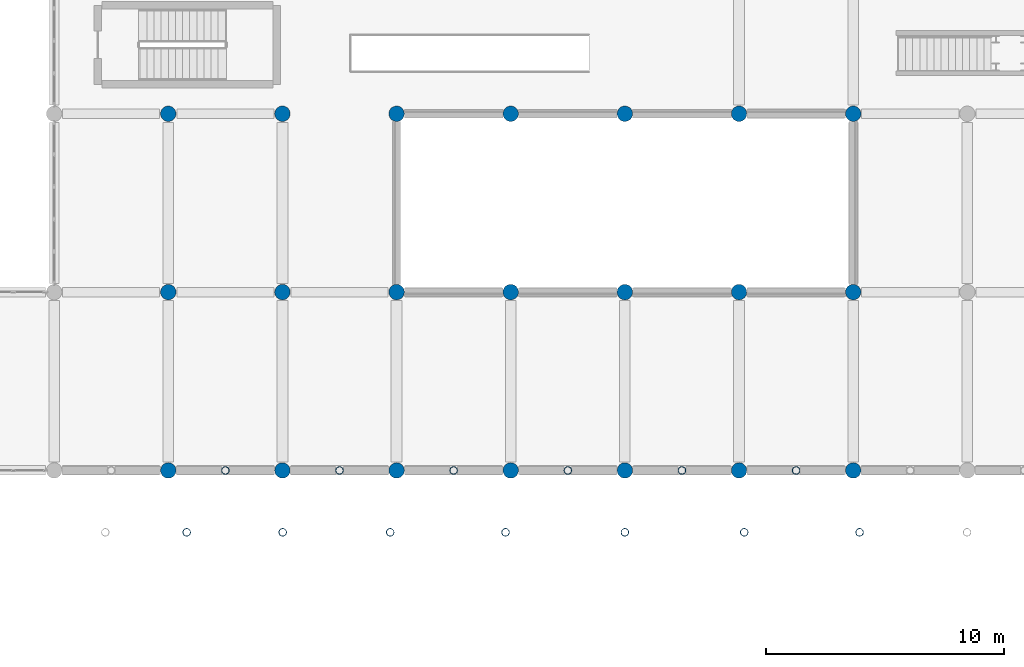
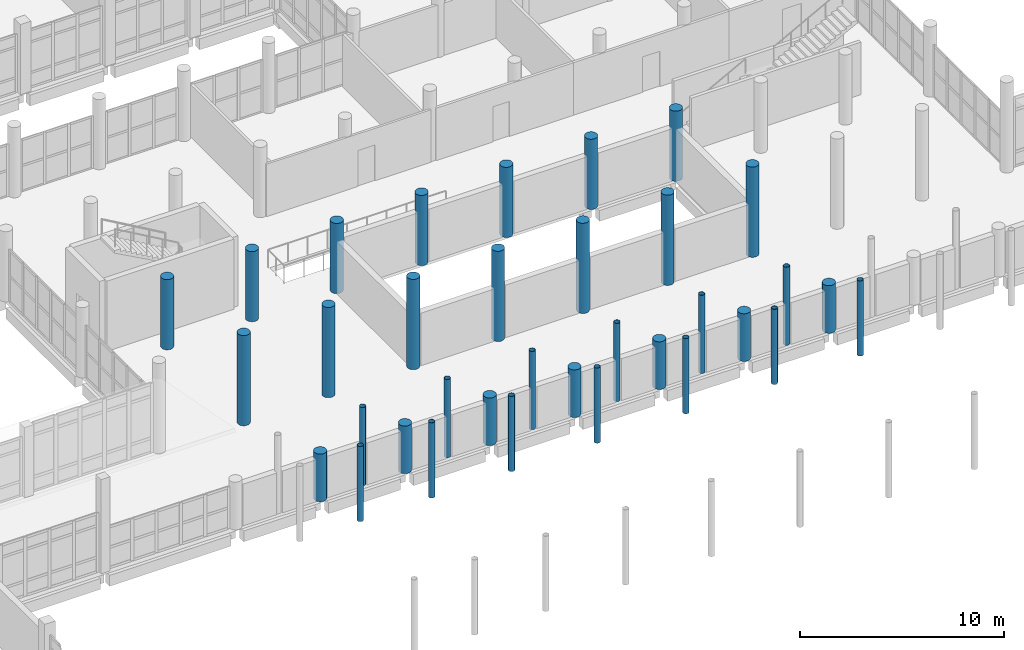
# One storey, part 9 of 164: 34 columns.
"""IFC4 building model written with IfcOpenShell, lengths in metres."""

from ifc_helpers import new_model, si_unit, direction, frame, origin, origin_2d, place, context, subcontext, project, spatial, circle, hollow_circle, extrude, material, material_profile, profile_set, type_object, element, save


model = new_model("IFC4")

# Units and contexts
model_context = context("Model", 3, precision=1e-05, world=origin(), true_north=direction((0.0, 1.0)))
body_context = subcontext(model_context, "Body", "Model", "MODEL_VIEW")
ifc_project = project(units=[si_unit("LENGTHUNIT", "METRE"), si_unit("AREAUNIT", "SQUARE_METRE"), si_unit("VOLUMEUNIT", "CUBIC_METRE"), si_unit("PLANEANGLEUNIT", "RADIAN"), si_unit("MASSUNIT", "GRAM", prefix="KILO")], contexts=[model_context])

# Site, building, storey
site_placement = place(None, origin())
site = spatial("IfcSite", under=ifc_project, at=site_placement, CompositionType="ELEMENT")
building_placement = place(site_placement, origin())
building = spatial("IfcBuilding", under=site, at=building_placement, Name="Mawjan Specialist Oncology Clinic", CompositionType="ELEMENT")
storey_placement = place(building_placement, frame((0.0, 0.0, 5.0)))
storey = spatial("IfcBuildingStorey", under=building, at=storey_placement, Name="L01", CompositionType="ELEMENT", Elevation=5.0)

# Columns
ifc_material_1 = material(Name="Concrete C45/55", Category="concrete")
ifc_material_profile_1 = material_profile(ifc_material_1, circle(Radius=0.324951171875, at=origin_2d()), Name="RC COL D650", Category="concrete")
ifc_profile_set_1 = profile_set([ifc_material_profile_1], Name="Concrete C45/55")
column_type_1 = type_object("IfcColumnType", Name="C-D650", PredefinedType="COLUMN", material=ifc_profile_set_1)
column_1_placement = place(storey_placement, frame((64.800048828125, 45.800048828125, 0.0), z_axis=(0.0, 0.0, 1.0), x_axis=(1.0, 0.0, 0.0)))
element("IfcColumn", 1, at=column_1_placement, inside=storey, type_object=column_type_1, Name="L01 Column G-10-G", PredefinedType="COLUMN", context=body_context, shape_type="SweptSolid", body=[
    extrude(circle(Radius=0.324951171875, at=origin_2d()), origin(), (0.0, 0.0, 1.0), 2.85009765625),
])
column_2_placement = place(storey_placement, frame((64.800048828125, 53.300048828125, 0.0), z_axis=(0.0, 0.0, 1.0), x_axis=(1.0, 0.0, 0.0)))
element("IfcColumn", 2, at=column_2_placement, inside=storey, type_object=column_type_1, Name="L01 Column G-10-H", PredefinedType="COLUMN", context=body_context, shape_type="SweptSolid", body=[
    extrude(circle(Radius=0.324951171875, at=origin_2d()), origin(), (0.0, 0.0, 1.0), 5.39990234375),
])
column_3_placement = place(storey_placement, frame((64.800048828125, 60.800048828125, 0.0), z_axis=(0.0, 0.0, 1.0), x_axis=(1.0, 0.0, 0.0)))
element("IfcColumn", 3, at=column_3_placement, inside=storey, type_object=column_type_1, Name="L01 Column G-10-J", PredefinedType="COLUMN", context=body_context, shape_type="SweptSolid", body=[
    extrude(circle(Radius=0.324951171875, at=origin_2d()), origin(), (0.0, 0.0, 1.0), 4.199951171875),
])
column_4_placement = place(storey_placement, frame((69.60009765625, 45.800048828125, 0.0), z_axis=(0.0, 0.0, 1.0), x_axis=(1.0, 0.0, 0.0)))
element("IfcColumn", 4, at=column_4_placement, inside=storey, type_object=column_type_1, Name="L01 Column G-11-G", PredefinedType="COLUMN", context=body_context, shape_type="SweptSolid", body=[
    extrude(circle(Radius=0.324951171875, at=origin_2d()), origin(), (0.0, 0.0, 1.0), 2.85009765625),
])
column_5_placement = place(storey_placement, frame((69.60009765625, 53.300048828125, 0.0), z_axis=(0.0, 0.0, 1.0), x_axis=(1.0, 0.0, 0.0)))
element("IfcColumn", 5, at=column_5_placement, inside=storey, type_object=column_type_1, Name="L01 Column G-11-H", PredefinedType="COLUMN", context=body_context, shape_type="SweptSolid", body=[
    extrude(circle(Radius=0.324951171875, at=origin_2d()), origin(), (0.0, 0.0, 1.0), 5.39990234375),
])
column_6_placement = place(storey_placement, frame((69.60009765625, 60.800048828125, 0.0), z_axis=(0.0, 0.0, 1.0), x_axis=(1.0, 0.0, 0.0)))
element("IfcColumn", 6, at=column_6_placement, inside=storey, type_object=column_type_1, Name="L01 Column G-11-J", PredefinedType="COLUMN", context=body_context, shape_type="SweptSolid", body=[
    extrude(circle(Radius=0.324951171875, at=origin_2d()), origin(), (0.0, 0.0, 1.0), 4.199951171875),
])
column_7_placement = place(storey_placement, frame((74.39990234375, 45.800048828125, 0.0), z_axis=(0.0, 0.0, 1.0), x_axis=(1.0, 0.0, 0.0)))
element("IfcColumn", 7, at=column_7_placement, inside=storey, type_object=column_type_1, Name="L01 Column G-12-G", PredefinedType="COLUMN", context=body_context, shape_type="SweptSolid", body=[
    extrude(circle(Radius=0.324951171875, at=origin_2d()), origin(), (0.0, 0.0, 1.0), 2.85009765625),
])
column_8_placement = place(storey_placement, frame((74.39990234375, 53.300048828125, 0.0), z_axis=(0.0, 0.0, 1.0), x_axis=(1.0, 0.0, 0.0)))
element("IfcColumn", 8, at=column_8_placement, inside=storey, type_object=column_type_1, Name="L01 Column G-12-H", PredefinedType="COLUMN", context=body_context, shape_type="SweptSolid", body=[
    extrude(circle(Radius=0.324951171875, at=origin_2d()), origin(), (0.0, 0.0, 1.0), 5.39990234375),
])
column_9_placement = place(storey_placement, frame((79.199951171875, 45.800048828125, 0.0), z_axis=(0.0, 0.0, 1.0), x_axis=(1.0, 0.0, 0.0)))
element("IfcColumn", 9, at=column_9_placement, inside=storey, type_object=column_type_1, Name="L01 Column G-13-G", PredefinedType="COLUMN", context=body_context, shape_type="SweptSolid", body=[
    extrude(circle(Radius=0.324951171875, at=origin_2d()), origin(), (0.0, 0.0, 1.0), 2.85009765625),
])
column_10_placement = place(storey_placement, frame((79.199951171875, 53.300048828125, 0.0), z_axis=(0.0, 0.0, 1.0), x_axis=(1.0, 0.0, 0.0)))
element("IfcColumn", 10, at=column_10_placement, inside=storey, type_object=column_type_1, Name="L01 Column G-13-H", PredefinedType="COLUMN", context=body_context, shape_type="SweptSolid", body=[
    extrude(circle(Radius=0.324951171875, at=origin_2d()), origin(), (0.0, 0.0, 1.0), 5.39990234375),
])
column_11_placement = place(storey_placement, frame((84.0, 45.800048828125, 0.0), z_axis=(0.0, 0.0, 1.0), x_axis=(1.0, 0.0, 0.0)))
element("IfcColumn", 11, at=column_11_placement, inside=storey, type_object=column_type_1, Name="L01 Column G-14-G", PredefinedType="COLUMN", context=body_context, shape_type="SweptSolid", body=[
    extrude(circle(Radius=0.324951171875, at=origin_2d()), origin(), (0.0, 0.0, 1.0), 2.85009765625),
])
column_12_placement = place(storey_placement, frame((84.0, 53.300048828125, 0.0), z_axis=(0.0, 0.0, 1.0), x_axis=(1.0, 0.0, 0.0)))
element("IfcColumn", 12, at=column_12_placement, inside=storey, type_object=column_type_1, Name="L01 Column G-14-H", PredefinedType="COLUMN", context=body_context, shape_type="SweptSolid", body=[
    extrude(circle(Radius=0.324951171875, at=origin_2d()), origin(), (0.0, 0.0, 1.0), 5.39990234375),
])
column_13_placement = place(storey_placement, frame((88.800048828125, 45.800048828125, 0.0), z_axis=(0.0, 0.0, 1.0), x_axis=(1.0, 0.0, 0.0)))
element("IfcColumn", 13, at=column_13_placement, inside=storey, type_object=column_type_1, Name="L01 Column G-15-G", PredefinedType="COLUMN", context=body_context, shape_type="SweptSolid", body=[
    extrude(circle(Radius=0.324951171875, at=origin_2d()), origin(), (0.0, 0.0, 1.0), 2.85009765625),
])
column_14_placement = place(storey_placement, frame((88.800048828125, 53.300048828125, 0.0), z_axis=(0.0, 0.0, 1.0), x_axis=(1.0, 0.0, 0.0)))
element("IfcColumn", 14, at=column_14_placement, inside=storey, type_object=column_type_1, Name="L01 Column G-15-H", PredefinedType="COLUMN", context=body_context, shape_type="SweptSolid", body=[
    extrude(circle(Radius=0.324951171875, at=origin_2d()), origin(), (0.0, 0.0, 1.0), 5.39990234375),
])
column_15_placement = place(storey_placement, frame((88.800048828125, 60.800048828125, 0.0), z_axis=(0.0, 0.0, 1.0), x_axis=(1.0, 0.0, 0.0)))
element("IfcColumn", 15, at=column_15_placement, inside=storey, type_object=column_type_1, Name="L01 Column G-15-J", PredefinedType="COLUMN", context=body_context, shape_type="SweptSolid", body=[
    extrude(circle(Radius=0.324951171875, at=origin_2d()), origin(), (0.0, 0.0, 1.0), 4.199951171875),
])
column_16_placement = place(storey_placement, frame((93.60009765625, 45.800048828125, 0.0), z_axis=(0.0, 0.0, 1.0), x_axis=(1.0, 0.0, 0.0)))
element("IfcColumn", 16, at=column_16_placement, inside=storey, type_object=column_type_1, Name="L01 Column G-16-G", PredefinedType="COLUMN", context=body_context, shape_type="SweptSolid", body=[
    extrude(circle(Radius=0.324951171875, at=origin_2d()), origin(), (0.0, 0.0, 1.0), 2.85009765625),
])
column_17_placement = place(storey_placement, frame((93.60009765625, 53.300048828125, 0.0), z_axis=(0.0, 0.0, 1.0), x_axis=(1.0, 0.0, 0.0)))
element("IfcColumn", 17, at=column_17_placement, inside=storey, type_object=column_type_1, Name="L01 Column G-16-H", PredefinedType="COLUMN", context=body_context, shape_type="SweptSolid", body=[
    extrude(circle(Radius=0.324951171875, at=origin_2d()), origin(), (0.0, 0.0, 1.0), 5.39990234375),
])
for number, where, z_axis, x_axis, name in (
    (18, (93.60009765625, 60.800048828125, 0.0), (0.0, 0.0, 1.0), (1.0, 0.0, 0.0), "L01 Column G-16-J"),
    (19, (74.39990234375, 60.800048828125, 0.0), (0.0, 0.0, 1.0), (1.0, 0.0, 0.0), "Hall Valley L01 Column 4-60"),
    (20, (79.199951171875, 60.800048828125, 0.0), (0.0, 0.0, 1.0), (1.0, 0.0, 0.0), "Hall Valley L01 Column 5-60"),
    (21, (84.0, 60.800048828125, 0.0), (0.0, 0.0, 1.0), (1.0, 0.0, 0.0), "Hall Valley L01 Column 6-60"),
):
    element("IfcColumn", number, at=place(storey_placement, frame(where, z_axis=z_axis, x_axis=x_axis)), inside=storey, type_object=column_type_1, Name=name, PredefinedType="COLUMN", context=body_context, shape_type="SweptSolid", body=[
        extrude(circle(Radius=0.324951171875, at=origin_2d()), origin(), (0.0, 0.0, 1.0), 4.199951171875),
    ])
ifc_material_2 = material(Name="Structural steel S355", Category="steel")
ifc_material_profile_2 = material_profile(ifc_material_2, hollow_circle(Radius=0.161865234375, WallThickness=0.011962890625, at=origin_2d()), Name="CHS 323.9x12", Category="steel")
ifc_profile_set_2 = profile_set([ifc_material_profile_2], Name="Structural steel S355")
column_type_2 = type_object("IfcColumnType", Name="SC-CHS324", PredefinedType="COLUMN", material=ifc_profile_set_2)
for number, where, z_axis, x_axis, name in (
    (22, (67.199951171875, 45.800048828125, 0.0), (0.0, 0.0, 1.0), (1.0, 0.0, 0.0), "Hall South Ridge L01 Column 02"),
    (23, (72.0, 45.800048828125, 0.0), (0.0, 0.0, 1.0), (1.0, 0.0, 0.0), "Hall South Ridge L01 Column 03"),
    (24, (76.800048828125, 45.800048828125, 0.0), (0.0, 0.0, 1.0), (1.0, 0.0, 0.0), "Hall South Ridge L01 Column 04"),
    (25, (81.60009765625, 45.800048828125, 0.0), (0.0, 0.0, 1.0), (1.0, 0.0, 0.0), "Hall South Ridge L01 Column 05"),
    (26, (86.39990234375, 45.800048828125, 0.0), (0.0, 0.0, 1.0), (1.0, 0.0, 0.0), "Hall South Ridge L01 Column 06"),
    (27, (91.199951171875, 45.800048828125, 0.0), (0.0, 0.0, 1.0), (1.0, 0.0, 0.0), "Hall South Ridge L01 Column 07"),
):
    element("IfcColumn", number, at=place(storey_placement, frame(where, z_axis=z_axis, x_axis=x_axis)), inside=storey, type_object=column_type_2, Name=name, PredefinedType="COLUMN", context=body_context, shape_type="SweptSolid", body=[
        extrude(hollow_circle(Radius=0.161865234375, WallThickness=0.011962890625, at=origin_2d()), origin(), (0.0, 0.0, 1.0), 4.679931640625),
    ])
for number, where, z_axis, x_axis, name in (
    (28, (65.573486328125, 43.199951171875, 0.0), (0.0, 0.0, 1.0), (1.0, 0.0, 0.0), "Courtyard North Colonnade Column 02 L01"),
    (29, (69.611328125, 43.199951171875, 0.0), (0.0, 0.0, 1.0), (1.0, 0.0, 0.0), "Courtyard North Colonnade Column 03 L01"),
    (30, (74.131103515625, 43.199951171875, 0.0), (0.0, 0.0, 1.0), (1.0, 0.0, 0.0), "Courtyard North Colonnade Column 04 L01"),
    (31, (78.981689453125, 43.199951171875, 0.0), (0.0, 0.0, 1.0), (1.0, 0.0, 0.0), "Courtyard North Colonnade Column 05 L01"),
    (32, (84.0, 43.199951171875, 0.0), (0.0, 0.0, 1.0), (1.0, 0.0, 0.0), "Courtyard North Colonnade Column 06 L01"),
    (33, (89.018310546875, 43.199951171875, 0.0), (0.0, 0.0, 1.0), (1.0, 0.0, 0.0), "Courtyard North Colonnade Column 07 L01"),
    (34, (93.868896484375, 43.199951171875, 0.0), (0.0, 0.0, 1.0), (1.0, 0.0, 0.0), "Courtyard North Colonnade Column 08 L01"),
):
    element("IfcColumn", number, at=place(storey_placement, frame(where, z_axis=z_axis, x_axis=x_axis)), inside=storey, type_object=column_type_2, Name=name, PredefinedType="COLUMN", context=body_context, shape_type="SweptSolid", body=[
        extrude(hollow_circle(Radius=0.161865234375, WallThickness=0.011962890625, at=origin_2d()), origin(), (0.0, 0.0, 1.0), 4.5),
    ])

save(model, "model.ifc")
